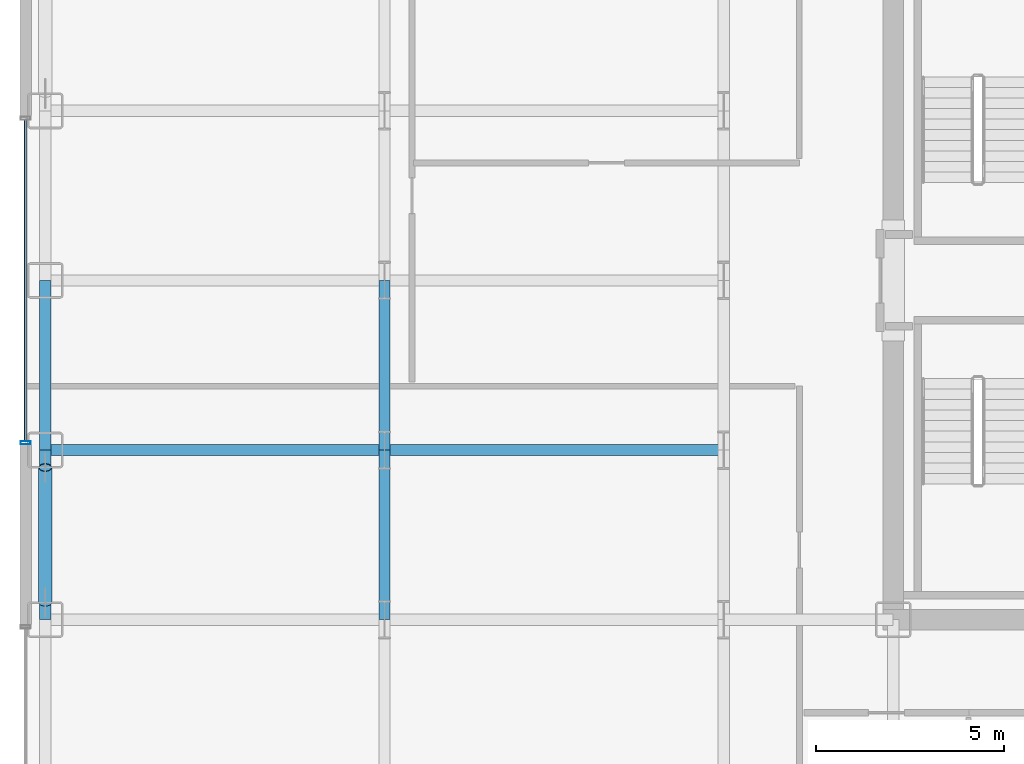
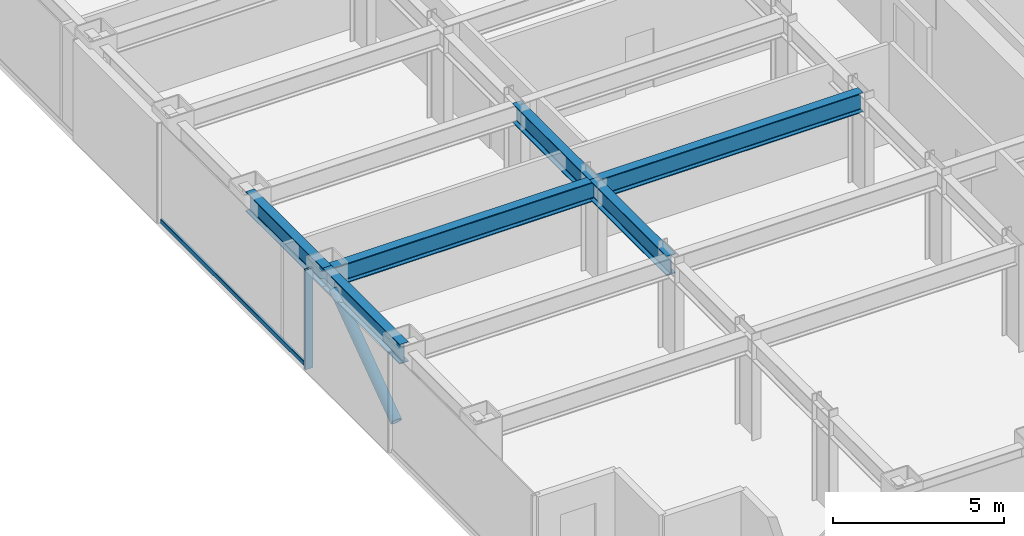
# One storey, part 5 of 28: 6 beams, 3 members, 1 element without a shape of its own.
"""IFC4 building model written with IfcOpenShell, lengths in metres."""

from ifc_helpers import new_model, si_unit, direction, frame, origin, origin_2d, place, context, subcontext, project, spatial, hollow_rectangle, hollow_circle, i_section, extrude, source, transform, mapped, material, layer, layer_set, material_profile, profile_set, type_object, element, aggregate, save


model = new_model("IFC4")

# Units and contexts
model_context = context("Model", 3, precision=1e-05, world=origin(), true_north=direction((0.0, 1.0)))
body_context = subcontext(model_context, "Body", "Model", "MODEL_VIEW")
ifc_project = project(units=[si_unit("LENGTHUNIT", "METRE"), si_unit("AREAUNIT", "SQUARE_METRE"), si_unit("VOLUMEUNIT", "CUBIC_METRE"), si_unit("PLANEANGLEUNIT", "RADIAN"), si_unit("MASSUNIT", "GRAM", prefix="KILO")], contexts=[model_context])

# Site, building, storey
site_placement = place(None, origin())
site = spatial("IfcSite", under=ifc_project, at=site_placement, CompositionType="ELEMENT")
building_placement = place(site_placement, origin())
building = spatial("IfcBuilding", under=site, at=building_placement, Name="Nefas-Gora Pilgrimage Tower", CompositionType="ELEMENT")
storey_placement = place(building_placement, frame((0.0, 0.0, 102.199951171875)))
storey = spatial("IfcBuildingStorey", under=building, at=storey_placement, Name="L24", CompositionType="ELEMENT", Elevation=102.199951171875)

# Beams
ifc_material_1 = material(Name="Steel S355", Category="steel")
ifc_material_profile_1 = material_profile(ifc_material_1, i_section(OverallWidth=0.300048828125, OverallDepth=0.699951171875, WebThickness=0.01708984375, FlangeThickness=0.031982421875, FilletRadius=0.027099609375, at=origin_2d()), Name="HEB 700")
ifc_profile_set_1 = profile_set([ifc_material_profile_1], Name="Steel S355")
beam_type_1 = type_object("IfcBeamType", Name="BM-SPN-HEB600", PredefinedType="SPANDREL", material=ifc_profile_set_1)
shared_shape_1 = source(origin(), body_context, "Body", "SweptSolid", [
    extrude(i_section(OverallWidth=0.300048828125, OverallDepth=0.699951171875, WebThickness=0.01708984375, FlangeThickness=0.031982421875, FilletRadius=0.027099609375, at=origin_2d()), origin(), (0.0, 0.0, 1.0), 4.5),
])
for number, where, z_axis, x_axis, name in (
    (1, (-33.75, -9.0, 3.199951171875), (0.0, 1.0, 0.0), (-1.0, 0.0, 0.0), "L24 SP-01 beam"),
    (2, (-33.75, -4.5, 3.199951171875), (0.0, 1.0, 0.0), (-1.0, 0.0, 0.0), "L24 SP-01 beam"),
):
    element("IfcBeam", number, at=place(storey_placement, frame(where, z_axis=z_axis, x_axis=x_axis)), inside=storey, type_object=beam_type_1, Name=name, PredefinedType="SPANDREL", context=body_context, shape_type="MappedRepresentation", body=[
        mapped(shared_shape_1, transform((0.0, 0.0, 0.0), x_axis=(1.0, 0.0, 0.0), y_axis=(0.0, 1.0, 0.0), z_axis=(0.0, 0.0, 1.0), scale=1.0)),
    ])
ifc_material_profile_2 = material_profile(ifc_material_1, i_section(OverallWidth=0.300048828125, OverallDepth=0.699951171875, WebThickness=0.01708984375, FlangeThickness=0.031982421875, FilletRadius=0.027099609375, at=origin_2d()), Name="HEB 700")
ifc_profile_set_2 = profile_set([ifc_material_profile_2], Name="Steel S355")
beam_type_2 = type_object("IfcBeamType", Name="BM-GIR-HEB700", PredefinedType="BEAM", material=ifc_profile_set_2)
shared_shape_2 = source(origin(), body_context, "Body", "SweptSolid", [
    extrude(i_section(OverallWidth=0.300048828125, OverallDepth=0.699951171875, WebThickness=0.01708984375, FlangeThickness=0.031982421875, FilletRadius=0.027099609375, at=origin_2d()), origin(), (0.0, 0.0, 1.0), 9.0),
])
for number, where, z_axis, x_axis, name in (
    (3, (-33.75, -4.5, 3.199951171875), (1.0, 0.0, 0.0), (0.0, 1.0, 0.0), "L24 G-02 beam"),
    (4, (-24.75, -4.5, 3.199951171875), (1.0, 0.0, 0.0), (0.0, 1.0, 0.0), "L24 G-02 beam"),
):
    element("IfcBeam", number, at=place(storey_placement, frame(where, z_axis=z_axis, x_axis=x_axis)), inside=storey, type_object=beam_type_2, Name=name, PredefinedType="BEAM", context=body_context, shape_type="MappedRepresentation", body=[
        mapped(shared_shape_2, transform((0.0, 0.0, 0.0), x_axis=(1.0, 0.0, 0.0), y_axis=(0.0, 1.0, 0.0), z_axis=(0.0, 0.0, 1.0), scale=1.0)),
    ])
shared_shape_3 = source(origin(), body_context, "Body", "SweptSolid", [
    extrude(i_section(OverallWidth=0.300048828125, OverallDepth=0.699951171875, WebThickness=0.01708984375, FlangeThickness=0.031982421875, FilletRadius=0.027099609375, at=origin_2d()), origin(), (0.0, 0.0, 1.0), 4.5),
])
for number, where, z_axis, x_axis, name in (
    (5, (-24.75, -9.0, 3.199951171875), (0.0, 1.0, 0.0), (-1.0, 0.0, 0.0), "L24 G-02 beam"),
    (6, (-24.75, -4.5, 3.199951171875), (0.0, 1.0, 0.0), (-1.0, 0.0, 0.0), "L24 G-02 beam"),
):
    element("IfcBeam", number, at=place(storey_placement, frame(where, z_axis=z_axis, x_axis=x_axis)), inside=storey, type_object=beam_type_2, Name=name, PredefinedType="BEAM", context=body_context, shape_type="MappedRepresentation", body=[
        mapped(shared_shape_3, transform((0.0, 0.0, 0.0), x_axis=(1.0, 0.0, 0.0), y_axis=(0.0, 1.0, 0.0), z_axis=(0.0, 0.0, 1.0), scale=1.0)),
    ])

# Member
ifc_material_2 = material(Name="Steel S460", Category="steel")
ifc_material_profile_3 = material_profile(ifc_material_2, hollow_circle(Radius=0.177734375, WallThickness=0.02001953125, at=origin_2d()), Name="CHS 355.6x20")
ifc_profile_set_3 = profile_set([ifc_material_profile_3], Name="Steel S460")
member_type_1 = type_object("IfcMemberType", Name="MEM-TUBE-356", PredefinedType="BRACE", material=ifc_profile_set_3)
shared_shape_4 = source(origin(), body_context, "Body", "SweptSolid", [
    extrude(hollow_circle(Radius=0.177734375, WallThickness=0.02001953125, at=origin_2d()), origin(), (0.0, 0.0, 1.0), 4.39501953125),
])
member_1_placement = place(storey_placement, frame((-33.75, -8.537109375, 0.4814453125), z_axis=(0.0, 0.813264026864, 0.581894855287), x_axis=(-1.0, 0.0, 0.0)))
element("IfcMember", 7, at=member_1_placement, inside=storey, type_object=member_type_1, Name="L24 Perimeter Tube Diagonal Brace W1", PredefinedType="BRACE", context=body_context, shape_type="MappedRepresentation", body=[
    mapped(shared_shape_4, transform((0.0, 0.0, 0.0), x_axis=(1.0, 0.0, 0.0), y_axis=(0.0, 1.0, 0.0), z_axis=(0.0, 0.0, 1.0), scale=1.0)),
])

# Curtain wall, members
ifc_material_3 = material(Name="Dark ceramic-fritted solar-control aluminium-glass curtain wall", Category="aluminium")
ifc_layer = layer(ifc_material_3, 0.219970703125)
ifc_layer_set = layer_set([ifc_layer], Name="Dark ceramic-fritted solar-control aluminium-glass curtain wall")
curtain_wall_type = type_object("IfcCurtainWallType", Name="CW-SYS-2", PredefinedType="NOTDEFINED", material=ifc_layer_set)
curtain_wall_placement = place(storey_placement, origin())
curtain_wall = element("IfcCurtainWall", 8, at=curtain_wall_placement, inside=storey, type_object=curtain_wall_type, Name="L24 Unitised Curtain Wall CW2", PredefinedType="NOTDEFINED")
ifc_material_4 = material(Name="Anodised architectural aluminium", Category="aluminium")
ifc_material_profile_4 = material_profile(ifc_material_4, hollow_rectangle(XDim=0.090087890625, YDim=0.260009765625, WallThickness=0.006103515625, InnerFilletRadius=0.006103515625, OuterFilletRadius=0.011962890625, at=origin_2d()), Name="ALU MULLION 90x260")
ifc_profile_set_4 = profile_set([ifc_material_profile_4], Name="Anodised architectural aluminium")
member_type_2 = type_object("IfcMemberType", Name="CWM-MUL-2", PredefinedType="MULLION", material=ifc_profile_set_4)
shared_shape_5 = source(origin(), body_context, "Body", "SweptSolid", [
    extrude(hollow_rectangle(XDim=0.090087890625, YDim=0.260009765625, WallThickness=0.006103515625, InnerFilletRadius=0.006103515625, OuterFilletRadius=0.011962890625, at=origin_2d()), origin(), (0.0, 0.0, 1.0), 3.550048828125),
])
member_2_placement = place(storey_placement, frame((-34.27001953125, -4.304931640625, 0.0), z_axis=(0.0, 0.0, 1.0), x_axis=(0.0, -1.0, 0.0)))
member_2 = element("IfcMember", 9, at=member_2_placement, type_object=member_type_2, Name="CW2 Mullion 2", PredefinedType="MULLION", context=body_context, shape_type="MappedRepresentation", body=[
    mapped(shared_shape_5, transform((0.0, 0.0, 0.0), x_axis=(1.0, 0.0, 0.0), y_axis=(0.0, 1.0, 0.0), z_axis=(0.0, 0.0, 1.0), scale=1.0)),
])
ifc_material_profile_5 = material_profile(ifc_material_4, hollow_rectangle(XDim=0.080078125, YDim=0.159912109375, WallThickness=0.00439453125, InnerFilletRadius=0.00439453125, OuterFilletRadius=0.009033203125, at=origin_2d()), Name="ALU TRANSOM 80x160")
ifc_profile_set_5 = profile_set([ifc_material_profile_5], Name="Anodised architectural aluminium")
member_type_3 = type_object("IfcMemberType", Name="CWM-TRN-2", PredefinedType="USERDEFINED", material=ifc_profile_set_5)
shared_shape_6 = source(origin(), body_context, "Body", "SweptSolid", [
    extrude(hollow_rectangle(XDim=0.080078125, YDim=0.159912109375, WallThickness=0.00439453125, InnerFilletRadius=0.00439453125, OuterFilletRadius=0.009033203125, at=origin_2d()), origin(), (0.0, 0.0, 1.0), 8.52001953125),
])
member_3_placement = place(storey_placement, frame((-34.27001953125, 4.260009765625, 0.050048828125), z_axis=(0.0, -1.0, 0.0), x_axis=(1.0, 0.0, 0.0)))
member_3 = element("IfcMember", 10, at=member_3_placement, type_object=member_type_3, Name="CW2 Spandrel Transom", ObjectType="TRANSOM", PredefinedType="USERDEFINED", context=body_context, shape_type="MappedRepresentation", body=[
    mapped(shared_shape_6, transform((0.0, 0.0, 0.0), x_axis=(1.0, 0.0, 0.0), y_axis=(0.0, 1.0, 0.0), z_axis=(0.0, 0.0, 1.0), scale=1.0)),
])
aggregate(curtain_wall, [member_2, member_3])

save(model, "model.ifc")
